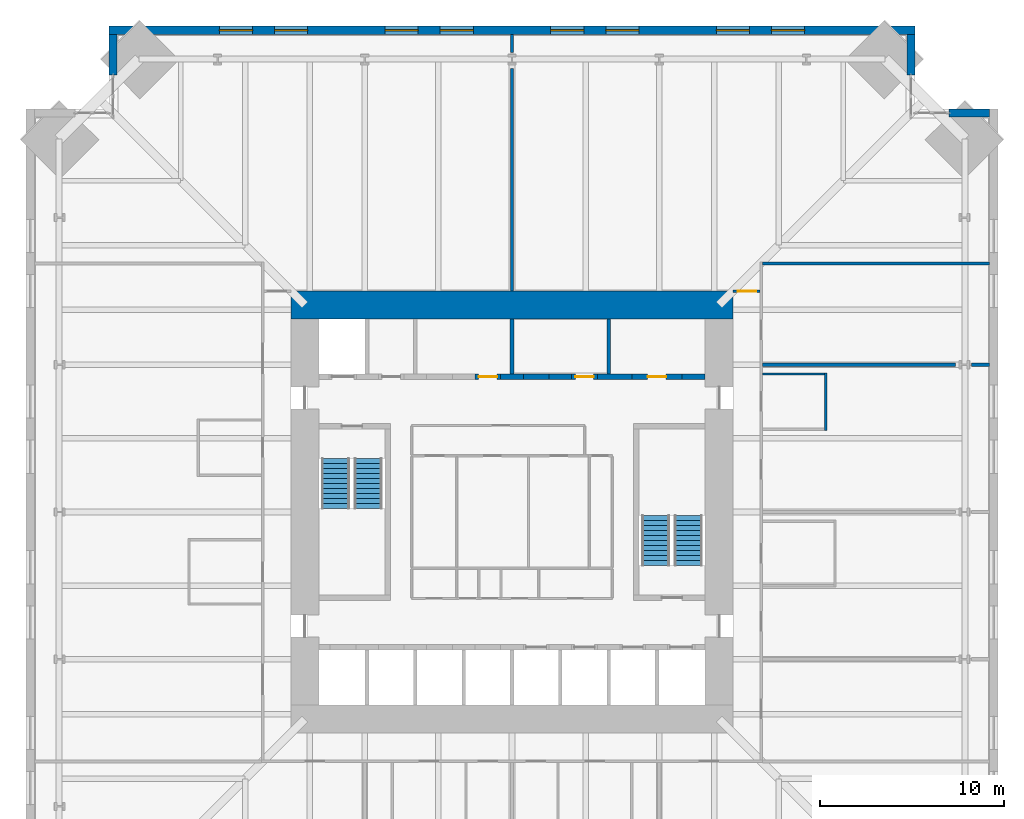
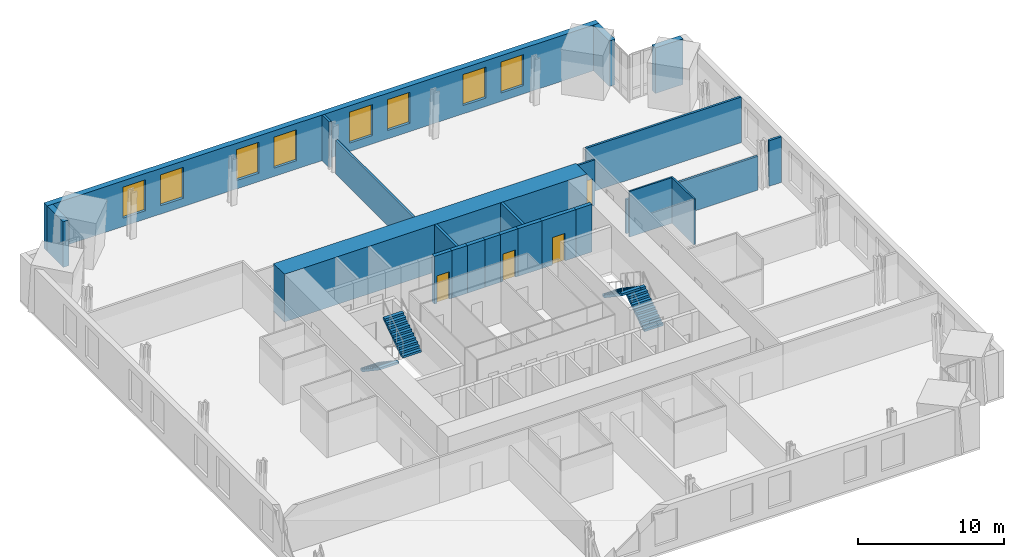
# One storey, part 17 of 18: 23 walls, 8 windows, 4 doors, 4 stair flights, 12 openings, 2 elements without a shape of their own.
"""IFC4 building model written with IfcOpenShell, lengths in metres."""

import ifcopenshell
import ifcopenshell.guid

model = None  # the IFC model being written
_history = None  # IfcOwnerHistory: only IFC2X3 demands one
_inside = {}  # id of a spatial element -> (the spatial element, [elements in it])
_under = {}  # id of a project, library or spatial element -> (it, [spatial elements below it])
_declared = {}  # id of a project -> (the project, [libraries it declares])
_typed = {}  # id of a type object -> (the type object, [elements of that type])
_made_of = {}  # id of a material, layer set ... -> (it, [elements and type objects made of it])


def new_model(schema):
    """Start an empty IFC model of exactly this schema.

    Asked for "IFC4X3", IfcOpenShell would pick the latest addendum, in which some entities
    have other attributes; the version numbers below select the first issue.
    IFC2X3 requires an IfcOwnerHistory on every rooted entity: one is made here for all.
    """
    global model, _history
    if schema == "IFC4X3":
        model = ifcopenshell.file(schema_version=(4, 3, 0, 0))
    else:
        model = ifcopenshell.file(schema=schema)
    _inside.clear()
    _under.clear()
    _declared.clear()
    _typed.clear()
    _made_of.clear()
    _history = None
    if model.schema == "IFC2X3":
        org = make("IfcOrganization", Name="unknown")
        user = make(
            "IfcPersonAndOrganization",
            ThePerson=make("IfcPerson", FamilyName="unknown"),
            TheOrganization=org,
        )
        app = make(
            "IfcApplication",
            ApplicationDeveloper=org,
            Version="unknown",
            ApplicationFullName="unknown",
            ApplicationIdentifier="unknown",
        )
        _history = make(
            "IfcOwnerHistory",
            OwningUser=user,
            OwningApplication=app,
            ChangeAction="ADDED",
            CreationDate=0,
        )
    return model


def make(cls, **values):
    """One entity of the class cls with the attributes given. An attribute that is None is left unset."""
    return model.create_entity(
        cls, **{name: value for name, value in values.items() if value is not None}
    )


def rooted(cls, **values):
    """An entity with a GlobalId (a new one), such as an element, a storey or a relation."""
    return make(cls, GlobalId=ifcopenshell.guid.new(), OwnerHistory=_history, **values)


def si_unit(unit_type, name, prefix=None):
    """IfcSIUnit, for example si_unit("LENGTHUNIT", "METRE", prefix="MILLI")."""
    return make("IfcSIUnit", UnitType=unit_type, Prefix=prefix, Name=name)


def assignment(units):
    """IfcUnitAssignment: the units of a project."""
    return None if units is None else make("IfcUnitAssignment", Units=units)


def point(xyz):
    """IfcCartesianPoint."""
    return None if xyz is None else make("IfcCartesianPoint", Coordinates=xyz)


def direction(xyz):
    """IfcDirection."""
    return None if xyz is None else make("IfcDirection", DirectionRatios=xyz)


def frame(location, z_axis=None, x_axis=None):
    """IfcAxis2Placement3D, a coordinate frame: its origin and axes. An axis left out is left unset."""
    return make(
        "IfcAxis2Placement3D",
        Location=point(location),
        Axis=direction(z_axis),
        RefDirection=direction(x_axis),
    )


def frame_2d(location, x_axis=None):
    """IfcAxis2Placement2D, a coordinate frame in the plane: its origin and x axis."""
    return make(
        "IfcAxis2Placement2D", Location=point(location), RefDirection=direction(x_axis)
    )


def origin():
    """The frame at (0, 0, 0) with its axes left unset."""
    return frame((0.0, 0.0, 0.0))


def place(relative_to, where):
    """IfcLocalPlacement: puts the frame where relative to a parent placement (None: the world)."""
    return make(
        "IfcLocalPlacement", PlacementRelTo=relative_to, RelativePlacement=where
    )


def context(
    kind, dimensions, precision=None, world=None, true_north=None, identifier=None
):
    """IfcGeometricRepresentationContext, for example the 3D "Model" context."""
    return make(
        "IfcGeometricRepresentationContext",
        ContextIdentifier=identifier,
        ContextType=kind,
        CoordinateSpaceDimension=dimensions,
        Precision=precision,
        WorldCoordinateSystem=world,
        TrueNorth=true_north,
    )


def subcontext(parent, identifier, kind, view, scale=None):
    """IfcGeometricRepresentationSubContext, for example "Body" below "Model"."""
    return make(
        "IfcGeometricRepresentationSubContext",
        ContextIdentifier=identifier,
        ContextType=kind,
        ParentContext=parent,
        TargetScale=scale,
        TargetView=view,
    )


def project(units=None, contexts=None):
    """IfcProject with its units and contexts."""
    return rooted(
        "IfcProject",
        Name="project",
        RepresentationContexts=contexts,
        UnitsInContext=assignment(units),
    )


def spatial(cls, under=None, at=None, **own):
    """A site, building, storey or space (cls), placed at a placement, below another one or the project."""
    s = rooted(cls, ObjectPlacement=at, **own)
    if under is not None:
        _under.setdefault(under.id(), (under, []))[1].append(s)
    return s


def polyline(points):
    """IfcPolyline through the points."""
    return make("IfcPolyline", Points=[point(p) for p in points])


def profile(cls, at=None, kind="AREA", **sizes):
    """A parametric profile (cls). Its sizes go by their IFC names, for example OverallWidth=200.0."""
    return make(cls, ProfileType=kind, Position=at, **sizes)


def rectangle(**sizes):
    """IfcRectangleProfileDef."""
    return profile("IfcRectangleProfileDef", **sizes)


def outline(outer, holes=None, kind="AREA"):
    """IfcArbitraryClosedProfileDef: a profile drawn as a closed curve; with holes, ...WithVoids."""
    if holes is None:
        return make("IfcArbitraryClosedProfileDef", ProfileType=kind, OuterCurve=outer)
    return make(
        "IfcArbitraryProfileDefWithVoids",
        ProfileType=kind,
        OuterCurve=outer,
        InnerCurves=holes,
    )


def extrude(swept, where, along, depth):
    """IfcExtrudedAreaSolid: the profile swept, set in the frame where, extruded along a direction by depth."""
    return make(
        "IfcExtrudedAreaSolid",
        SweptArea=swept,
        Position=where,
        ExtrudedDirection=direction(along),
        Depth=depth,
    )


def shape(context_of_items, identifier, shape_type, items):
    """IfcShapeRepresentation: the items that make up one representation, for example the "Body"."""
    return make(
        "IfcShapeRepresentation",
        ContextOfItems=context_of_items,
        RepresentationIdentifier=identifier,
        RepresentationType=shape_type,
        Items=items,
    )


def material(Name=None, Category=None):
    """IfcMaterial."""
    return make("IfcMaterial", Name=Name, Category=Category)


def layer(
    of_material, thickness, ventilated=None, Name=None, Category=None, Priority=None
):
    """IfcMaterialLayer: one layer of a wall or slab, of a material (None: an air gap)."""
    return make(
        "IfcMaterialLayer",
        Material=of_material,
        LayerThickness=thickness,
        IsVentilated=ventilated,
        Name=Name,
        Category=Category,
        Priority=Priority,
    )


def layer_set(layers, Name=None):
    """IfcMaterialLayerSet."""
    return make("IfcMaterialLayerSet", MaterialLayers=layers, LayerSetName=Name)


def made_of(thing, what):
    """Note that an element or type object is made of a material, layer set ...; save() writes the relation."""
    if what is not None:
        _made_of.setdefault(what.id(), (what, []))[1].append(thing)
    return thing


def type_object(cls, material=None, **own):
    """A type object (cls), such as IfcWallType, which elements share."""
    return made_of(rooted(cls, **own), material)


def element(
    cls,
    number,
    at=None,
    inside=None,
    cuts=None,
    type_object=None,
    material=None,
    context=None,
    identifier="Body",
    shape_type=None,
    held_by="IfcProductDefinitionShape",
    body=None,
    shapes=None,
    **own,
):
    """One element of the class cls, such as IfcWall. Its Tag is "e" and its number.

    at: its placement. inside: the storey or other place that contains it. cuts: it is an
    opening in that element (IfcRelVoidsElement). A single representation is given by context,
    identifier, shape_type and body (its items); several are given by shapes. held_by: the class
    of the entity that holds the representations. save() writes the other relations.
    """
    e = rooted(cls, Tag="e%d" % number, ObjectPlacement=at, **own)
    if body is not None:
        shapes = [shape(context, identifier, shape_type, body)]
    if shapes is not None:
        e.Representation = make(held_by, Representations=shapes)
    if inside is not None:
        _inside.setdefault(inside.id(), (inside, []))[1].append(e)
    if cuts is not None:
        rooted(
            "IfcRelVoidsElement", RelatingBuildingElement=cuts, RelatedOpeningElement=e
        )
    if type_object is not None:
        _typed.setdefault(type_object.id(), (type_object, []))[1].append(e)
    return made_of(e, material)


def fill(opening, filler):
    """IfcRelFillsElement: the door or window that sits in an opening."""
    return rooted(
        "IfcRelFillsElement",
        RelatingOpeningElement=opening,
        RelatedBuildingElement=filler,
    )


def aggregate(whole, parts):
    """IfcRelAggregates: a whole, such as a stair, and the parts it consists of."""
    return rooted("IfcRelAggregates", RelatingObject=whole, RelatedObjects=parts)


def save(model, path):
    """Write the relations noted so far, then the file.

    IfcRelAggregates (storeys below a building ...), IfcRelContainedInSpatialStructure (elements
    in a storey), IfcRelDefinesByType, IfcRelAssociatesMaterial and IfcRelDeclares: one each for
    every whole, place, type object, material and project.
    """
    for whole, parts in _under.values():
        aggregate(whole, parts)
    for where, things in _inside.values():
        rooted(
            "IfcRelContainedInSpatialStructure",
            RelatedElements=things,
            RelatingStructure=where,
        )
    for kind, things in _typed.values():
        rooted("IfcRelDefinesByType", RelatedObjects=things, RelatingType=kind)
    for what, things in _made_of.values():
        rooted("IfcRelAssociatesMaterial", RelatedObjects=things, RelatingMaterial=what)
    for by, libraries in _declared.values():
        rooted("IfcRelDeclares", RelatingContext=by, RelatedDefinitions=libraries)
    model.write(path)


model = new_model("IFC4")

# Units and contexts
model_context = context("Model", 3, precision=1e-05, world=origin(), true_north=direction((0.0, 1.0)))
body_context = subcontext(model_context, "Body", "Model", "MODEL_VIEW")
ifc_project = project(units=[si_unit("LENGTHUNIT", "METRE"), si_unit("AREAUNIT", "SQUARE_METRE"), si_unit("VOLUMEUNIT", "CUBIC_METRE"), si_unit("PLANEANGLEUNIT", "RADIAN"), si_unit("MASSUNIT", "GRAM", prefix="KILO")], contexts=[model_context])

# Site, building, storey
site_placement = place(None, origin())
site = spatial("IfcSite", under=ifc_project, at=site_placement, CompositionType="ELEMENT")
building_placement = place(site_placement, origin())
building = spatial("IfcBuilding", under=site, at=building_placement, Name="Peilmerk Tower", CompositionType="ELEMENT")
storey_placement = place(building_placement, frame((0.0, 0.0, 155.800048828125)))
storey = spatial("IfcBuildingStorey", under=building, at=storey_placement, Name="L32", CompositionType="ELEMENT", Elevation=155.800048828125)

# Wall, openings, windows
ifc_material_1 = material(Name="Precast concrete C45/55, board-marked finish", Category="concrete")
ifc_layer_1 = layer(ifc_material_1, 0.449951171875)
ifc_layer_set_1 = layer_set([ifc_layer_1], Name="Precast concrete C45/55, board-marked finish")
wall_type_1 = type_object("IfcWallType", Name="EW1 450 precast concrete facade wall, board-marked", PredefinedType="SOLIDWALL", material=ifc_layer_set_1)
wall_1_placement = place(storey_placement, frame((21.89990234375, 26.175048828125, 0.0), z_axis=(0.0, 0.0, 1.0), x_axis=(-1.0, 0.0, 0.0)))
wall_1 = element("IfcWall", 1, at=wall_1_placement, inside=storey, type_object=wall_type_1, Name="Facade wall N L32", PredefinedType="SOLIDWALL", context=body_context, shape_type="SweptSolid", body=[
    extrude(rectangle(XDim=43.7998046875, YDim=0.449951171875, at=frame_2d((21.89990234375, 0.0))), origin(), (0.0, 0.0, 1.0), 3.829833984375),
])
opening_1_placement = place(wall_1_placement, frame((6.0, 0.0, 0.699951171875)))
opening_1 = element("IfcOpeningElement", 2, at=opening_1_placement, cuts=wall_1, Name="Opening W1", PredefinedType="OPENING", context=body_context, shape_type="SweptSolid", body=[
    extrude(rectangle(XDim=1.800048828125, YDim=2.60009765625, at=frame_2d((0.89990234375, 1.300048828125))), frame((0.0, 0.23486328125, 0.0), z_axis=(0.0, -1.0, 0.0), x_axis=(1.0, 0.0, 0.0)), (0.0, 0.0, 1.0), 0.469970703125),
])
opening_2_placement = place(wall_1_placement, frame((9.0, 0.0, 0.699951171875)))
opening_2 = element("IfcOpeningElement", 3, at=opening_2_placement, cuts=wall_1, Name="Opening W1", PredefinedType="OPENING", context=body_context, shape_type="SweptSolid", body=[
    extrude(rectangle(XDim=1.800048828125, YDim=2.60009765625, at=frame_2d((0.89990234375, 1.300048828125))), frame((0.0, 0.23486328125, 0.0), z_axis=(0.0, -1.0, 0.0), x_axis=(1.0, 0.0, 0.0)), (0.0, 0.0, 1.0), 0.469970703125),
])
opening_3_placement = place(wall_1_placement, frame((15.0, 0.0, 0.699951171875)))
opening_3 = element("IfcOpeningElement", 4, at=opening_3_placement, cuts=wall_1, Name="Opening W1", PredefinedType="OPENING", context=body_context, shape_type="SweptSolid", body=[
    extrude(rectangle(XDim=1.800048828125, YDim=2.60009765625, at=frame_2d((0.89990234375, 1.300048828125))), frame((0.0, 0.23486328125, 0.0), z_axis=(0.0, -1.0, 0.0), x_axis=(1.0, 0.0, 0.0)), (0.0, 0.0, 1.0), 0.469970703125),
])
opening_4_placement = place(wall_1_placement, frame((18.0, 0.0, 0.699951171875)))
opening_4 = element("IfcOpeningElement", 5, at=opening_4_placement, cuts=wall_1, Name="Opening W1", PredefinedType="OPENING", context=body_context, shape_type="SweptSolid", body=[
    extrude(rectangle(XDim=1.800048828125, YDim=2.60009765625, at=frame_2d((0.89990234375, 1.300048828125))), frame((0.0, 0.23486328125, 0.0), z_axis=(0.0, -1.0, 0.0), x_axis=(1.0, 0.0, 0.0)), (0.0, 0.0, 1.0), 0.469970703125),
])
opening_5_placement = place(wall_1_placement, frame((24.0, 0.0, 0.699951171875)))
opening_5 = element("IfcOpeningElement", 6, at=opening_5_placement, cuts=wall_1, Name="Opening W1", PredefinedType="OPENING", context=body_context, shape_type="SweptSolid", body=[
    extrude(rectangle(XDim=1.800048828125, YDim=2.60009765625, at=frame_2d((0.89990234375, 1.300048828125))), frame((0.0, 0.23486328125, 0.0), z_axis=(0.0, -1.0, 0.0), x_axis=(1.0, 0.0, 0.0)), (0.0, 0.0, 1.0), 0.469970703125),
])
opening_6_placement = place(wall_1_placement, frame((27.0, 0.0, 0.699951171875)))
opening_6 = element("IfcOpeningElement", 7, at=opening_6_placement, cuts=wall_1, Name="Opening W1", PredefinedType="OPENING", context=body_context, shape_type="SweptSolid", body=[
    extrude(rectangle(XDim=1.800048828125, YDim=2.60009765625, at=frame_2d((0.89990234375, 1.300048828125))), frame((0.0, 0.23486328125, 0.0), z_axis=(0.0, -1.0, 0.0), x_axis=(1.0, 0.0, 0.0)), (0.0, 0.0, 1.0), 0.469970703125),
])
opening_7_placement = place(wall_1_placement, frame((33.0, 0.0, 0.699951171875)))
opening_7 = element("IfcOpeningElement", 8, at=opening_7_placement, cuts=wall_1, Name="Opening W1", PredefinedType="OPENING", context=body_context, shape_type="SweptSolid", body=[
    extrude(rectangle(XDim=1.800048828125, YDim=2.60009765625, at=frame_2d((0.89990234375, 1.300048828125))), frame((0.0, 0.23486328125, 0.0), z_axis=(0.0, -1.0, 0.0), x_axis=(1.0, 0.0, 0.0)), (0.0, 0.0, 1.0), 0.469970703125),
])
opening_8_placement = place(wall_1_placement, frame((36.0, 0.0, 0.699951171875)))
opening_8 = element("IfcOpeningElement", 9, at=opening_8_placement, cuts=wall_1, Name="Opening W1", PredefinedType="OPENING", context=body_context, shape_type="SweptSolid", body=[
    extrude(rectangle(XDim=1.800048828125, YDim=2.60009765625, at=frame_2d((0.89990234375, 1.300048828125))), frame((0.0, 0.23486328125, 0.0), z_axis=(0.0, -1.0, 0.0), x_axis=(1.0, 0.0, 0.0)), (0.0, 0.0, 1.0), 0.469970703125),
])
ifc_material_2 = material(Name="Aluminium frame, clear double glazing", Category="aluminium")
window_type = type_object("IfcWindowType", Name="W1 1800x2600 office window", PartitioningType="SINGLE_PANEL", PredefinedType="WINDOW", material=ifc_material_2)
window_1_placement = place(opening_1_placement, origin())
window_1 = element("IfcWindow", 10, at=window_1_placement, inside=storey, type_object=window_type, Name="Window W1 L32", OverallHeight=2.60009765625, OverallWidth=1.800048828125, PartitioningType="SINGLE_PANEL", PredefinedType="WINDOW", context=body_context, shape_type="SweptSolid", body=[
    extrude(rectangle(XDim=1.800048828125, YDim=2.60009765625, at=frame_2d((0.89990234375, 1.300048828125))), frame((0.0, 0.030029296875, 0.0), z_axis=(0.0, -1.0, 0.0), x_axis=(1.0, 0.0, 0.0)), (0.0, 0.0, 1.0), 0.06005859375),
])
fill(opening_1, window_1)
window_2_placement = place(opening_2_placement, origin())
window_2 = element("IfcWindow", 11, at=window_2_placement, inside=storey, type_object=window_type, Name="Window W1 L32", OverallHeight=2.60009765625, OverallWidth=1.800048828125, PartitioningType="SINGLE_PANEL", PredefinedType="WINDOW", context=body_context, shape_type="SweptSolid", body=[
    extrude(rectangle(XDim=1.800048828125, YDim=2.60009765625, at=frame_2d((0.89990234375, 1.300048828125))), frame((0.0, 0.030029296875, 0.0), z_axis=(0.0, -1.0, 0.0), x_axis=(1.0, 0.0, 0.0)), (0.0, 0.0, 1.0), 0.06005859375),
])
fill(opening_2, window_2)
window_3_placement = place(opening_3_placement, origin())
window_3 = element("IfcWindow", 12, at=window_3_placement, inside=storey, type_object=window_type, Name="Window W1 L32", OverallHeight=2.60009765625, OverallWidth=1.800048828125, PartitioningType="SINGLE_PANEL", PredefinedType="WINDOW", context=body_context, shape_type="SweptSolid", body=[
    extrude(rectangle(XDim=1.800048828125, YDim=2.60009765625, at=frame_2d((0.89990234375, 1.300048828125))), frame((0.0, 0.030029296875, 0.0), z_axis=(0.0, -1.0, 0.0), x_axis=(1.0, 0.0, 0.0)), (0.0, 0.0, 1.0), 0.06005859375),
])
fill(opening_3, window_3)
window_4_placement = place(opening_4_placement, origin())
window_4 = element("IfcWindow", 13, at=window_4_placement, inside=storey, type_object=window_type, Name="Window W1 L32", OverallHeight=2.60009765625, OverallWidth=1.800048828125, PartitioningType="SINGLE_PANEL", PredefinedType="WINDOW", context=body_context, shape_type="SweptSolid", body=[
    extrude(rectangle(XDim=1.800048828125, YDim=2.60009765625, at=frame_2d((0.89990234375, 1.300048828125))), frame((0.0, 0.030029296875, 0.0), z_axis=(0.0, -1.0, 0.0), x_axis=(1.0, 0.0, 0.0)), (0.0, 0.0, 1.0), 0.06005859375),
])
fill(opening_4, window_4)
window_5_placement = place(opening_5_placement, origin())
window_5 = element("IfcWindow", 14, at=window_5_placement, inside=storey, type_object=window_type, Name="Window W1 L32", OverallHeight=2.60009765625, OverallWidth=1.800048828125, PartitioningType="SINGLE_PANEL", PredefinedType="WINDOW", context=body_context, shape_type="SweptSolid", body=[
    extrude(rectangle(XDim=1.800048828125, YDim=2.60009765625, at=frame_2d((0.89990234375, 1.300048828125))), frame((0.0, 0.030029296875, 0.0), z_axis=(0.0, -1.0, 0.0), x_axis=(1.0, 0.0, 0.0)), (0.0, 0.0, 1.0), 0.06005859375),
])
fill(opening_5, window_5)
window_6_placement = place(opening_6_placement, origin())
window_6 = element("IfcWindow", 15, at=window_6_placement, inside=storey, type_object=window_type, Name="Window W1 L32", OverallHeight=2.60009765625, OverallWidth=1.800048828125, PartitioningType="SINGLE_PANEL", PredefinedType="WINDOW", context=body_context, shape_type="SweptSolid", body=[
    extrude(rectangle(XDim=1.800048828125, YDim=2.60009765625, at=frame_2d((0.89990234375, 1.300048828125))), frame((0.0, 0.030029296875, 0.0), z_axis=(0.0, -1.0, 0.0), x_axis=(1.0, 0.0, 0.0)), (0.0, 0.0, 1.0), 0.06005859375),
])
fill(opening_6, window_6)
window_7_placement = place(opening_7_placement, origin())
window_7 = element("IfcWindow", 16, at=window_7_placement, inside=storey, type_object=window_type, Name="Window W1 L32", OverallHeight=2.60009765625, OverallWidth=1.800048828125, PartitioningType="SINGLE_PANEL", PredefinedType="WINDOW", context=body_context, shape_type="SweptSolid", body=[
    extrude(rectangle(XDim=1.800048828125, YDim=2.60009765625, at=frame_2d((0.89990234375, 1.300048828125))), frame((0.0, 0.030029296875, 0.0), z_axis=(0.0, -1.0, 0.0), x_axis=(1.0, 0.0, 0.0)), (0.0, 0.0, 1.0), 0.06005859375),
])
fill(opening_7, window_7)
window_8_placement = place(opening_8_placement, origin())
window_8 = element("IfcWindow", 17, at=window_8_placement, inside=storey, type_object=window_type, Name="Window W1 L32", OverallHeight=2.60009765625, OverallWidth=1.800048828125, PartitioningType="SINGLE_PANEL", PredefinedType="WINDOW", context=body_context, shape_type="SweptSolid", body=[
    extrude(rectangle(XDim=1.800048828125, YDim=2.60009765625, at=frame_2d((0.89990234375, 1.300048828125))), frame((0.0, 0.030029296875, 0.0), z_axis=(0.0, -1.0, 0.0), x_axis=(1.0, 0.0, 0.0)), (0.0, 0.0, 1.0), 0.06005859375),
])
fill(opening_8, window_8)

# Walls
for number, where, z_axis, x_axis, name in (
    (18, (21.675048828125, 23.753662109375, 0.0), (0.0, 0.0, 1.0), (0.0, 1.0, 0.0), "Facade wall NEA L32"),
    (19, (23.753662109375, 21.675048828125, 0.0), (0.0, 0.0, 1.0), (1.0, 0.0, 0.0), "Facade wall NEB L32"),
    (20, (-21.675048828125, 23.753662109375, 0.0), (0.0, 0.0, 1.0), (0.0, 1.0, 0.0), "Facade wall NWA L32"),
):
    element("IfcWall", number, at=place(storey_placement, frame(where, z_axis=z_axis, x_axis=x_axis)), inside=storey, type_object=wall_type_1, Name=name, PredefinedType="SOLIDWALL", context=body_context, shape_type="SweptSolid", body=[
        extrude(rectangle(XDim=2.1962890625, YDim=0.449951171875, at=frame_2d((1.09814453125, 0.0))), origin(), (0.0, 0.0, 1.0), 3.829833984375),
    ])

# Wall, opening, door
ifc_material_3 = material(Name="Calcium silicate block", Category="masonry")
ifc_layer_2 = layer(ifc_material_3, 0.14990234375)
ifc_layer_set_2 = layer_set([ifc_layer_2], Name="Calcium silicate block")
wall_type_2 = type_object("IfcWallType", Name="IW1 150 corridor partition, EI 60", PredefinedType="PARTITIONING", material=ifc_layer_set_2)
wall_2_placement = place(storey_placement, frame((12.0, 12.0, 0.0), z_axis=(0.0, 0.0, 1.0), x_axis=(1.0, 0.0, 0.0)))
wall_2 = element("IfcWall", 21, at=wall_2_placement, inside=storey, type_object=wall_type_2, Name="Corridor wall NE L32", PredefinedType="PARTITIONING", context=body_context, shape_type="SweptSolid", body=[
    extrude(rectangle(XDim=1.47509765625, YDim=0.14990234375, at=frame_2d((0.737548828125, 0.0))), origin(), (0.0, 0.0, 1.0), 3.829833984375),
])
opening_9_placement = place(wall_2_placement, frame((0.27490234375, 0.0, 0.0)))
opening_9 = element("IfcOpeningElement", 22, at=opening_9_placement, cuts=wall_2, Name="Opening D1", PredefinedType="OPENING", context=body_context, shape_type="SweptSolid", body=[
    extrude(rectangle(XDim=1.0, YDim=2.300048828125, at=frame_2d((0.5, 1.14990234375))), frame((0.0, 0.0849609375, 0.0), z_axis=(0.0, -1.0, 0.0), x_axis=(1.0, 0.0, 0.0)), (0.0, 0.0, 1.0), 0.169921875),
])
ifc_material_4 = material(Name="Timber door in steel frame", Category="steel")
door_type_1 = type_object("IfcDoorType", Name="D1 1000x2300 room door, EI2 30", OperationType="SINGLE_SWING_LEFT", PredefinedType="DOOR", material=ifc_material_4)
door_1_placement = place(opening_9_placement, origin())
door_1 = element("IfcDoor", 23, at=door_1_placement, inside=storey, type_object=door_type_1, Name="Door Project room L32", OperationType="SINGLE_SWING_LEFT", OverallHeight=2.300048828125, OverallWidth=1.0, PredefinedType="DOOR", context=body_context, shape_type="SweptSolid", body=[
    extrude(rectangle(XDim=1.0, YDim=2.300048828125, at=frame_2d((0.5, 1.14990234375))), frame((0.0, 0.02490234375, 0.0), z_axis=(0.0, -1.0, 0.0), x_axis=(1.0, 0.0, 0.0)), (0.0, 0.0, 1.0), 0.050048828125),
])
fill(opening_9, door_1)

# Walls
ifc_material_5 = material(Name="Plasterboard on steel studs, double boarded with mineral wool", Category="steel")
ifc_layer_3 = layer(ifc_material_5, 0.125)
ifc_layer_set_3 = layer_set([ifc_layer_3], Name="Plasterboard on steel studs, double boarded with mineral wool")
wall_type_3 = type_object("IfcWallType", Name="IW7 125 acoustic partition, EI 30", PredefinedType="PARTITIONING", material=ifc_layer_set_3)
wall_3_placement = place(storey_placement, frame((17.050048828125, 4.4375, 0.0), z_axis=(0.0, 0.0, 1.0), x_axis=(0.0, 1.0, 0.0)))
element("IfcWall", 24, at=wall_3_placement, inside=storey, type_object=wall_type_3, Name="Acoustic partition Focus room L32", PredefinedType="PARTITIONING", context=body_context, shape_type="SweptSolid", body=[
    extrude(rectangle(XDim=3.125, YDim=0.125, at=frame_2d((1.5625, 0.0))), origin(), (0.0, 0.0, 1.0), 3.829833984375),
])
wall_4_placement = place(storey_placement, frame((13.625, 7.5, 0.0), z_axis=(0.0, 0.0, 1.0), x_axis=(1.0, 0.0, 0.0)))
element("IfcWall", 25, at=wall_4_placement, inside=storey, type_object=wall_type_3, Name="Acoustic partition Focus room L32", PredefinedType="PARTITIONING", context=body_context, shape_type="SweptSolid", body=[
    extrude(rectangle(XDim=3.362548828125, YDim=0.125, at=frame_2d((1.68115234375, 0.0))), origin(), (0.0, 0.0, 1.0), 3.829833984375),
])
ifc_layer_4 = layer(ifc_material_3, 0.175048828125)
ifc_layer_set_4 = layer_set([ifc_layer_4], Name="Calcium silicate block")
wall_type_4 = type_object("IfcWallType", Name="IW8 175 tenant separating wall, EI 60", PredefinedType="PARTITIONING", material=ifc_layer_set_4)
wall_5_placement = place(storey_placement, frame((13.625, 13.5, 0.0), z_axis=(0.0, 0.0, 1.0), x_axis=(1.0, 0.0, 0.0)))
element("IfcWall", 26, at=wall_5_placement, inside=storey, type_object=wall_type_4, Name="Tenant separating wall NE L32", PredefinedType="PARTITIONING", context=body_context, shape_type="SweptSolid", body=[
    extrude(rectangle(XDim=12.324951171875, YDim=0.175048828125, at=frame_2d((6.16259765625, 0.0))), origin(), (0.0, 0.0, 1.0), 3.829833984375),
])
wall_6_placement = place(storey_placement, frame((0.0, 12.0, 0.0), z_axis=(0.0, 0.0, 1.0), x_axis=(0.0, 1.0, 0.0)))
element("IfcWall", 27, at=wall_6_placement, inside=storey, type_object=wall_type_4, Name="Tenant separating wall N1 L32", PredefinedType="PARTITIONING", context=body_context, shape_type="SweptSolid", body=[
    extrude(rectangle(XDim=12.08935546875, YDim=0.175048828125, at=frame_2d((6.044677734375, 0.0))), origin(), (0.0, 0.0, 1.0), 2.83984375),
])
wall_7_placement = place(storey_placement, frame((0.0, 24.978515625, 0.0), z_axis=(0.0, 0.0, 1.0), x_axis=(0.0, 1.0, 0.0)))
element("IfcWall", 28, at=wall_7_placement, inside=storey, type_object=wall_type_4, Name="Tenant separating wall N1b L32", PredefinedType="PARTITIONING", context=body_context, shape_type="SweptSolid", body=[
    extrude(rectangle(XDim=0.971435546875, YDim=0.175048828125, at=frame_2d((0.48583984375, 0.0))), origin(), (0.0, 0.0, 1.0), 3.829833984375),
])
wall_8_placement = place(storey_placement, frame((13.625, 8.0, 0.0), z_axis=(0.0, 0.0, 1.0), x_axis=(1.0, 0.0, 0.0)))
element("IfcWall", 29, at=wall_8_placement, inside=storey, type_object=wall_type_4, Name="Tenant separating wall E3 L32", PredefinedType="PARTITIONING", context=body_context, shape_type="SweptSolid", body=[
    extrude(rectangle(XDim=10.46435546875, YDim=0.175048828125, at=frame_2d((5.232177734375, 0.0))), origin(), (0.0, 0.0, 1.0), 2.83984375),
])
wall_9_placement = place(storey_placement, frame((24.978515625, 8.0, 0.0), z_axis=(0.0, 0.0, 1.0), x_axis=(1.0, 0.0, 0.0)))
element("IfcWall", 30, at=wall_9_placement, inside=storey, type_object=wall_type_4, Name="Tenant separating wall E3b L32", PredefinedType="PARTITIONING", context=body_context, shape_type="SweptSolid", body=[
    extrude(rectangle(XDim=0.971435546875, YDim=0.175048828125, at=frame_2d((0.48583984375, 0.0))), origin(), (0.0, 0.0, 1.0), 3.829833984375),
])
ifc_layer_5 = layer(ifc_material_3, 0.199951171875)
ifc_layer_set_5 = layer_set([ifc_layer_5], Name="Calcium silicate block")
wall_type_5 = type_object("IfcWallType", Name="SH1 200 shaft dividing wall, EI 120", PredefinedType="PARTITIONING", material=ifc_layer_set_5)
for number, where, z_axis, x_axis, name in (
    (31, (0.0, 7.5, 0.0), (0.0, 0.0, 1.0), (0.0, 1.0, 0.0), "Shaft wall N A3 L32"),
    (32, (5.25, 7.5, 0.0), (0.0, 0.0, 1.0), (0.0, 1.0, 0.0), "Shaft wall N S2 L32"),
):
    element("IfcWall", number, at=place(storey_placement, frame(where, z_axis=z_axis, x_axis=x_axis)), inside=storey, type_object=wall_type_5, Name=name, PredefinedType="PARTITIONING", context=body_context, shape_type="SweptSolid", body=[
        extrude(rectangle(XDim=3.0, YDim=0.199951171875, at=frame_2d((1.5, 0.0))), origin(), (0.0, 0.0, 1.0), 4.0),
    ])

# Wall, opening, door
ifc_layer_6 = layer(ifc_material_3, 0.300048828125)
ifc_layer_set_6 = layer_set([ifc_layer_6], Name="Calcium silicate block")
wall_type_6 = type_object("IfcWallType", Name="SH2 300 lift landing door panel, EI 120", PredefinedType="PARTITIONING", material=ifc_layer_set_6)
wall_10_placement = place(storey_placement, frame((-2.012451171875, 7.35009765625, 0.0), z_axis=(0.0, 0.0, 1.0), x_axis=(1.0, 0.0, 0.0)))
wall_10 = element("IfcWall", 33, at=wall_10_placement, inside=storey, type_object=wall_type_6, Name="Lift door panel N A3 L32", PredefinedType="PARTITIONING", context=body_context, shape_type="SweptSolid", body=[
    extrude(rectangle(XDim=1.39990234375, YDim=0.300048828125, at=frame_2d((0.699951171875, 0.0))), origin(), (0.0, 0.0, 1.0), 4.0),
])
opening_10_placement = place(wall_10_placement, frame((0.199951171875, 0.0, 0.0)))
opening_10 = element("IfcOpeningElement", 34, at=opening_10_placement, cuts=wall_10, Name="Opening D10", PredefinedType="OPENING", context=body_context, shape_type="SweptSolid", body=[
    extrude(rectangle(XDim=1.0, YDim=2.300048828125, at=frame_2d((0.5, 1.14990234375))), frame((0.0, 0.159912109375, 0.0), z_axis=(0.0, -1.0, 0.0), x_axis=(1.0, 0.0, 0.0)), (0.0, 0.0, 1.0), 0.320068359375),
])
ifc_material_6 = material(Name="Steel door in steel frame", Category="steel")
door_type_2 = type_object("IfcDoorType", Name="D10 1000x2300 core room door, EI2 60", OperationType="SINGLE_SWING_RIGHT", PredefinedType="DOOR", material=ifc_material_6)
door_2_placement = place(opening_10_placement, origin())
door_2 = element("IfcDoor", 35, at=door_2_placement, inside=storey, type_object=door_type_2, Name="Door Vending room L32", OperationType="SINGLE_SWING_RIGHT", OverallHeight=2.300048828125, OverallWidth=1.0, PredefinedType="DOOR", context=body_context, shape_type="SweptSolid", body=[
    extrude(rectangle(XDim=1.0, YDim=2.300048828125, at=frame_2d((0.5, 1.14990234375))), frame((0.0, 0.02490234375, 0.0), z_axis=(0.0, -1.0, 0.0), x_axis=(1.0, 0.0, 0.0)), (0.0, 0.0, 1.0), 0.050048828125),
])
fill(opening_10, door_2)

# Wall
wall_11_placement = place(storey_placement, frame((0.612548828125, 7.35009765625, 0.0), z_axis=(0.0, 0.0, 1.0), x_axis=(1.0, 0.0, 0.0)))
element("IfcWall", 36, at=wall_11_placement, inside=storey, type_object=wall_type_6, Name="Lift door panel N S1 L32", PredefinedType="PARTITIONING", context=body_context, shape_type="SweptSolid", body=[
    extrude(rectangle(XDim=1.39990234375, YDim=0.300048828125, at=frame_2d((0.699951171875, 0.0))), origin(), (0.0, 0.0, 1.0), 4.0),
])

# Wall, opening, door
wall_12_placement = place(storey_placement, frame((3.237548828125, 7.35009765625, 0.0), z_axis=(0.0, 0.0, 1.0), x_axis=(1.0, 0.0, 0.0)))
wall_12 = element("IfcWall", 37, at=wall_12_placement, inside=storey, type_object=wall_type_6, Name="Lift door panel N S2 L32", PredefinedType="PARTITIONING", context=body_context, shape_type="SweptSolid", body=[
    extrude(rectangle(XDim=1.39990234375, YDim=0.300048828125, at=frame_2d((0.699951171875, 0.0))), origin(), (0.0, 0.0, 1.0), 4.0),
])
opening_11_placement = place(wall_12_placement, frame((0.199951171875, 0.0, 0.0)))
opening_11 = element("IfcOpeningElement", 38, at=opening_11_placement, cuts=wall_12, Name="Opening D10", PredefinedType="OPENING", context=body_context, shape_type="SweptSolid", body=[
    extrude(rectangle(XDim=1.0, YDim=2.300048828125, at=frame_2d((0.5, 1.14990234375))), frame((0.0, 0.159912109375, 0.0), z_axis=(0.0, -1.0, 0.0), x_axis=(1.0, 0.0, 0.0)), (0.0, 0.0, 1.0), 0.320068359375),
])
door_3_placement = place(opening_11_placement, origin())
door_3 = element("IfcDoor", 39, at=door_3_placement, inside=storey, type_object=door_type_2, Name="Door Back-of-house office L32", OperationType="SINGLE_SWING_RIGHT", OverallHeight=2.300048828125, OverallWidth=1.0, PredefinedType="DOOR", context=body_context, shape_type="SweptSolid", body=[
    extrude(rectangle(XDim=1.0, YDim=2.300048828125, at=frame_2d((0.5, 1.14990234375))), frame((0.0, 0.02490234375, 0.0), z_axis=(0.0, -1.0, 0.0), x_axis=(1.0, 0.0, 0.0)), (0.0, 0.0, 1.0), 0.050048828125),
])
fill(opening_11, door_3)

wall_13_placement = place(storey_placement, frame((6.52490234375, 7.35009765625, 0.0), z_axis=(0.0, 0.0, 1.0), x_axis=(1.0, 0.0, 0.0)))
wall_13 = element("IfcWall", 40, at=wall_13_placement, inside=storey, type_object=wall_type_6, Name="Lift door panel N GL1 L32", PredefinedType="PARTITIONING", context=body_context, shape_type="SweptSolid", body=[
    extrude(rectangle(XDim=2.7001953125, YDim=0.300048828125, at=frame_2d((1.35009765625, 0.0))), origin(), (0.0, 0.0, 1.0), 4.0),
])
opening_12_placement = place(wall_13_placement, frame((0.85009765625, 0.0, 0.0)))
opening_12 = element("IfcOpeningElement", 41, at=opening_12_placement, cuts=wall_13, Name="Opening D10", PredefinedType="OPENING", context=body_context, shape_type="SweptSolid", body=[
    extrude(rectangle(XDim=1.0, YDim=2.300048828125, at=frame_2d((0.5, 1.14990234375))), frame((0.0, 0.159912109375, 0.0), z_axis=(0.0, -1.0, 0.0), x_axis=(1.0, 0.0, 0.0)), (0.0, 0.0, 1.0), 0.320068359375),
])
door_4_placement = place(opening_12_placement, origin())
door_4 = element("IfcDoor", 42, at=door_4_placement, inside=storey, type_object=door_type_2, Name="Door Staff WC L32", OperationType="SINGLE_SWING_RIGHT", OverallHeight=2.300048828125, OverallWidth=1.0, PredefinedType="DOOR", context=body_context, shape_type="SweptSolid", body=[
    extrude(rectangle(XDim=1.0, YDim=2.300048828125, at=frame_2d((0.5, 1.14990234375))), frame((0.0, 0.02490234375, 0.0), z_axis=(0.0, -1.0, 0.0), x_axis=(1.0, 0.0, 0.0)), (0.0, 0.0, 1.0), 0.050048828125),
])
fill(opening_12, door_4)

# Walls
ifc_material_7 = material(Name="Concrete C55/67", Category="concrete")
ifc_layer_7 = layer(ifc_material_7, 1.5)
ifc_layer_set_7 = layer_set([ifc_layer_7], Name="Concrete C55/67")
wall_type_7 = type_object("IfcWallType", Name="SW1 1500 core wall", PredefinedType="SHEAR", material=ifc_layer_set_7)
wall_14_placement = place(storey_placement, frame((-12.0, 11.25, 0.0), z_axis=(0.0, 0.0, 1.0), x_axis=(1.0, 0.0, 0.0)))
element("IfcWall", 43, at=wall_14_placement, inside=storey, type_object=wall_type_7, Name="Core wall N L32", PredefinedType="SHEAR", context=body_context, shape_type="SweptSolid", body=[
    extrude(rectangle(XDim=24.0, YDim=1.5, at=frame_2d((12.0, 0.0))), origin(), (0.0, 0.0, 1.0), 4.0),
])
ifc_layer_8 = layer(ifc_material_7, 0.300048828125)
ifc_layer_set_8 = layer_set([ifc_layer_8], Name="Concrete C55/67")
wall_type_8 = type_object("IfcWallType", Name="SW2 300 lift bank pier", PredefinedType="SHEAR", material=ifc_layer_set_8)
for number, where, z_axis, x_axis, name in (
    (44, (-0.612548828125, 7.35009765625, 0.0), (0.0, 0.0, 1.0), (1.0, 0.0, 0.0), "Lift bank pier N L32"),
    (45, (2.012451171875, 7.35009765625, 0.0), (0.0, 0.0, 1.0), (1.0, 0.0, 0.0), "Lift bank pier N L32"),
):
    element("IfcWall", number, at=place(storey_placement, frame(where, z_axis=z_axis, x_axis=x_axis)), inside=storey, type_object=wall_type_8, Name=name, PredefinedType="SHEAR", context=body_context, shape_type="SweptSolid", body=[
        extrude(rectangle(XDim=1.22509765625, YDim=0.300048828125, at=frame_2d((0.612548828125, 0.0))), origin(), (0.0, 0.0, 1.0), 4.0),
    ])
wall_15_placement = place(storey_placement, frame((4.637451171875, 7.35009765625, 0.0), z_axis=(0.0, 0.0, 1.0), x_axis=(1.0, 0.0, 0.0)))
element("IfcWall", 46, at=wall_15_placement, inside=storey, type_object=wall_type_8, Name="Lift bank pier N L32", PredefinedType="SHEAR", context=body_context, shape_type="SweptSolid", body=[
    extrude(rectangle(XDim=1.887451171875, YDim=0.300048828125, at=frame_2d((0.94384765625, 0.0))), origin(), (0.0, 0.0, 1.0), 4.0),
])
wall_16_placement = place(storey_placement, frame((9.22509765625, 7.35009765625, 0.0), z_axis=(0.0, 0.0, 1.0), x_axis=(1.0, 0.0, 0.0)))
element("IfcWall", 47, at=wall_16_placement, inside=storey, type_object=wall_type_8, Name="Lift bank pier N L32", PredefinedType="SHEAR", context=body_context, shape_type="SweptSolid", body=[
    extrude(rectangle(XDim=1.27490234375, YDim=0.300048828125, at=frame_2d((0.637451171875, 0.0))), origin(), (0.0, 0.0, 1.0), 4.0),
])

# Stair, stair flights
ifc_material_8 = material(Name="Precast concrete C45/55", Category="concrete")
stair_type_1 = type_object("IfcStairType", Name="ST1 22 risers of 181.8", PredefinedType="HALF_TURN_STAIR", material=ifc_material_8)
stair_1_placement = place(storey_placement, origin())
stair_1 = element("IfcStair", 48, at=stair_1_placement, inside=storey, type_object=stair_type_1, Name="Stair 1 L32 to L33", PredefinedType="HALF_TURN_STAIR")
stair_flight_type = type_object("IfcStairFlightType", Name="SF11 flight, 11 risers of 181.8", PredefinedType="STRAIGHT", material=ifc_material_8)
stair_flight_1_placement = place(storey_placement, frame((-9.60009765625, 2.89990234375, 0.0), z_axis=(0.0, 0.0, 1.0), x_axis=(0.0, -1.0, 0.0)))
stair_flight_1 = element("IfcStairFlight", 49, at=stair_flight_1_placement, type_object=stair_flight_type, Name="ST1 flight 1", NumberOfRisers=11, NumberOfTreads=10, PredefinedType="STRAIGHT", RiserHeight=0.181818182, TreadLength=0.27, context=body_context, shape_type="SweptSolid", body=[
    extrude(outline(polyline([(0.0, 0.0), (0.0, 0.181884765625), (0.27001953125, 0.181884765625), (0.27001953125, 0.363525390625), (0.5400390625, 0.363525390625), (0.5400390625, 0.54541015625), (0.81005859375, 0.54541015625), (0.81005859375, 0.727294921875), (1.080078125, 0.727294921875), (1.080078125, 0.9091796875), (1.35009765625, 0.9091796875), (1.35009765625, 1.0908203125), (1.6201171875, 1.0908203125), (1.6201171875, 1.272705078125), (1.889892578125, 1.272705078125), (1.889892578125, 1.45458984375), (2.159912109375, 1.45458984375), (2.159912109375, 1.636474609375), (2.429931640625, 1.636474609375), (2.429931640625, 1.818115234375), (2.699951171875, 1.818115234375), (2.699951171875, 2.0), (2.699951171875, 1.637451171875), (0.268310546875, 0.0), (0.0, 0.0)])), frame((0.0, 0.75, 0.0), z_axis=(0.0, -1.0, 0.0), x_axis=(1.0, 0.0, 0.0)), (0.0, 0.0, 1.0), 1.5),
])
stair_flight_2_placement = place(storey_placement, frame((-7.800048828125, 0.199951171875, 2.0), z_axis=(0.0, 0.0, 1.0), x_axis=(0.0, 1.0, 0.0)))
stair_flight_2 = element("IfcStairFlight", 50, at=stair_flight_2_placement, type_object=stair_flight_type, Name="ST1 flight 2", NumberOfRisers=11, NumberOfTreads=10, PredefinedType="STRAIGHT", RiserHeight=0.181818182, TreadLength=0.27, context=body_context, shape_type="SweptSolid", body=[
    extrude(outline(polyline([(0.0, 0.0), (0.0, 0.181884765625), (0.27001953125, 0.181884765625), (0.27001953125, 0.363525390625), (0.5400390625, 0.363525390625), (0.5400390625, 0.54541015625), (0.81005859375, 0.54541015625), (0.81005859375, 0.727294921875), (1.080078125, 0.727294921875), (1.080078125, 0.9091796875), (1.35009765625, 0.9091796875), (1.35009765625, 1.0908203125), (1.6201171875, 1.0908203125), (1.6201171875, 1.272705078125), (1.889892578125, 1.272705078125), (1.889892578125, 1.45458984375), (2.159912109375, 1.45458984375), (2.159912109375, 1.636474609375), (2.429931640625, 1.636474609375), (2.429931640625, 1.818115234375), (2.699951171875, 1.818115234375), (2.699951171875, 2.0), (2.699951171875, 1.637451171875), (0.268310546875, 0.0), (0.0, 0.0)])), frame((0.0, 0.75, 0.0), z_axis=(0.0, -1.0, 0.0), x_axis=(1.0, 0.0, 0.0)), (0.0, 0.0, 1.0), 1.5),
])
aggregate(stair_1, [stair_flight_1, stair_flight_2])

stair_type_2 = type_object("IfcStairType", Name="ST2 22 risers of 181.8", PredefinedType="HALF_TURN_STAIR", material=ifc_material_8)
stair_2_placement = place(storey_placement, origin())
stair_2 = element("IfcStair", 51, at=stair_2_placement, inside=storey, type_object=stair_type_2, Name="Stair 2 L32 to L33", PredefinedType="HALF_TURN_STAIR")
stair_flight_3_placement = place(storey_placement, frame((9.60009765625, -2.89990234375, 0.0), z_axis=(0.0, 0.0, 1.0), x_axis=(0.0, 1.0, 0.0)))
stair_flight_3 = element("IfcStairFlight", 52, at=stair_flight_3_placement, type_object=stair_flight_type, Name="ST2 flight 1", NumberOfRisers=11, NumberOfTreads=10, PredefinedType="STRAIGHT", RiserHeight=0.181818182, TreadLength=0.27, context=body_context, shape_type="SweptSolid", body=[
    extrude(outline(polyline([(0.0, 0.0), (0.0, 0.181884765625), (0.27001953125, 0.181884765625), (0.27001953125, 0.363525390625), (0.5400390625, 0.363525390625), (0.5400390625, 0.54541015625), (0.81005859375, 0.54541015625), (0.81005859375, 0.727294921875), (1.080078125, 0.727294921875), (1.080078125, 0.9091796875), (1.35009765625, 0.9091796875), (1.35009765625, 1.0908203125), (1.6201171875, 1.0908203125), (1.6201171875, 1.272705078125), (1.889892578125, 1.272705078125), (1.889892578125, 1.45458984375), (2.159912109375, 1.45458984375), (2.159912109375, 1.636474609375), (2.429931640625, 1.636474609375), (2.429931640625, 1.818115234375), (2.699951171875, 1.818115234375), (2.699951171875, 2.0), (2.699951171875, 1.637451171875), (0.268310546875, 0.0), (0.0, 0.0)])), frame((0.0, 0.75, 0.0), z_axis=(0.0, -1.0, 0.0), x_axis=(1.0, 0.0, 0.0)), (0.0, 0.0, 1.0), 1.5),
])
stair_flight_4_placement = place(storey_placement, frame((7.800048828125, -0.199951171875, 2.0), z_axis=(0.0, 0.0, 1.0), x_axis=(0.0, -1.0, 0.0)))
stair_flight_4 = element("IfcStairFlight", 53, at=stair_flight_4_placement, type_object=stair_flight_type, Name="ST2 flight 2", NumberOfRisers=11, NumberOfTreads=10, PredefinedType="STRAIGHT", RiserHeight=0.181818182, TreadLength=0.27, context=body_context, shape_type="SweptSolid", body=[
    extrude(outline(polyline([(0.0, 0.0), (0.0, 0.181884765625), (0.27001953125, 0.181884765625), (0.27001953125, 0.363525390625), (0.5400390625, 0.363525390625), (0.5400390625, 0.54541015625), (0.81005859375, 0.54541015625), (0.81005859375, 0.727294921875), (1.080078125, 0.727294921875), (1.080078125, 0.9091796875), (1.35009765625, 0.9091796875), (1.35009765625, 1.0908203125), (1.6201171875, 1.0908203125), (1.6201171875, 1.272705078125), (1.889892578125, 1.272705078125), (1.889892578125, 1.45458984375), (2.159912109375, 1.45458984375), (2.159912109375, 1.636474609375), (2.429931640625, 1.636474609375), (2.429931640625, 1.818115234375), (2.699951171875, 1.818115234375), (2.699951171875, 2.0), (2.699951171875, 1.637451171875), (0.268310546875, 0.0), (0.0, 0.0)])), frame((0.0, 0.75, 0.0), z_axis=(0.0, -1.0, 0.0), x_axis=(1.0, 0.0, 0.0)), (0.0, 0.0, 1.0), 1.5),
])
aggregate(stair_2, [stair_flight_3, stair_flight_4])

save(model, "model.ifc")
